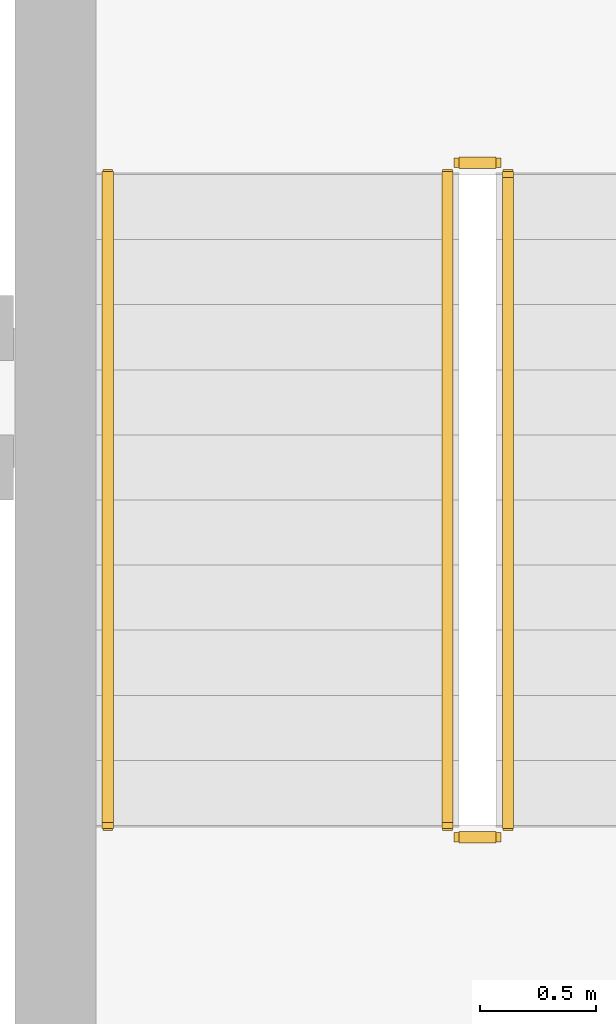
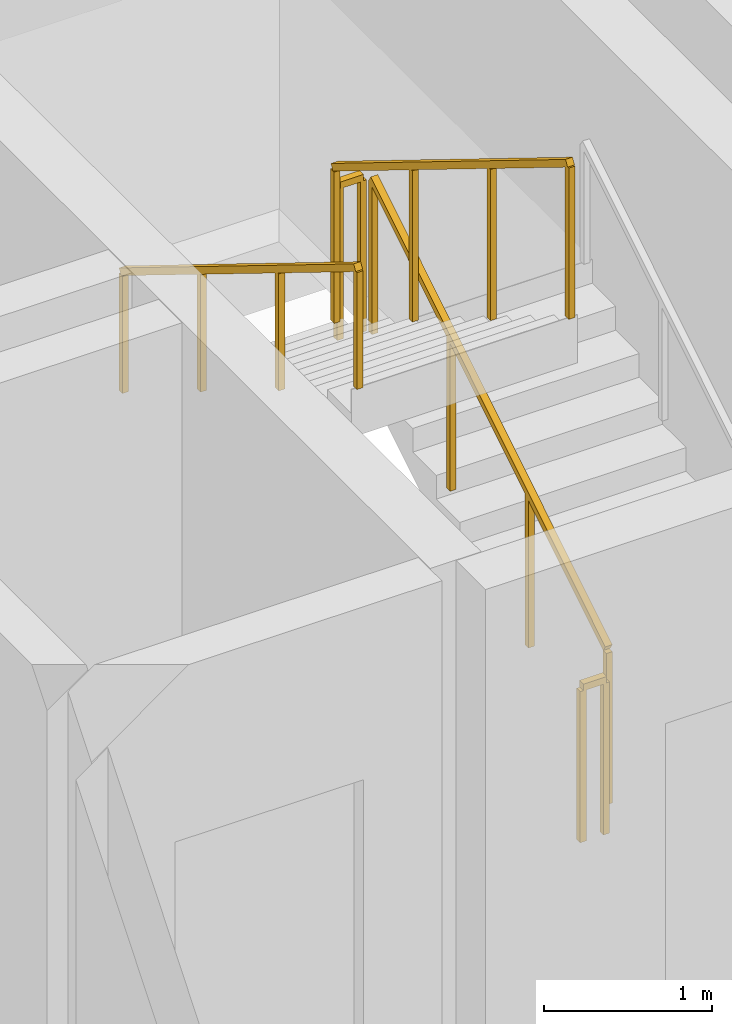
# One storey, part 13 of 14: 5 railings.
"""IFC4 building model written with IfcOpenShell, lengths in metres."""

from ifc_helpers import new_model, si_unit, direction, frame, origin, origin_2d, place, context, subcontext, project, spatial, rectangle, extrude, material, type_object, element, save


model = new_model("IFC4")

# Units and contexts
model_context = context("Model", 3, precision=1e-05, world=origin(), true_north=direction((0.0, 1.0)))
body_context = subcontext(model_context, "Body", "Model", "MODEL_VIEW")
ifc_project = project(units=[si_unit("LENGTHUNIT", "METRE"), si_unit("AREAUNIT", "SQUARE_METRE"), si_unit("VOLUMEUNIT", "CUBIC_METRE"), si_unit("PLANEANGLEUNIT", "RADIAN"), si_unit("MASSUNIT", "GRAM", prefix="KILO")], contexts=[model_context])

# Site, building, storey
site_placement = place(None, origin())
site = spatial("IfcSite", under=ifc_project, at=site_placement, CompositionType="ELEMENT")
building_placement = place(site_placement, origin())
building = spatial("IfcBuilding", under=site, at=building_placement, Name="Kaelvorn Grand Hotel", CompositionType="ELEMENT")
storey_placement = place(building_placement, frame((0.0, 0.0, 169.550048828125)))
storey = spatial("IfcBuildingStorey", under=building, at=storey_placement, Name="L41", CompositionType="ELEMENT", Elevation=169.550048828125)

# Railings
ifc_material = material(Name="Stainless Steel", Category="steel")
railing_type_1 = type_object("IfcRailingType", Name="RL-HANDRAIL-900", PredefinedType="HANDRAIL", material=ifc_material)
railing_1_placement = place(storey_placement, frame((63.3701171875, 44.56005859375, 2.07275390625)))
element("IfcRailing", 1, at=railing_1_placement, inside=storey, type_object=railing_type_1, Name="L41 ST3 stair handrail 2", PredefinedType="HANDRAIL", context=body_context, shape_type="SweptSolid", body=[
    extrude(rectangle(XDim=0.048095703125, YDim=0.048095703125, at=origin_2d()), frame((0.0, 0.0, 0.8759765625), z_axis=(0.0, -0.851089632645, 0.525020415988), x_axis=(1.0, 0.0, 0.0)), (0.0, 0.0, 1.0), 3.2900390625),
    extrude(rectangle(XDim=0.0419921875, YDim=0.0419921875, at=origin_2d()), origin(), (0.0, 0.0, 1.0), 0.851806640625),
    extrude(rectangle(XDim=0.0419921875, YDim=0.0419921875, at=origin_2d()), frame((0.0, -0.933349609375, 0.57568359375)), (0.0, 0.0, 1.0), 0.851806640625),
    extrude(rectangle(XDim=0.0419921875, YDim=0.0419921875, at=origin_2d()), frame((0.0, -1.86669921875, 1.151611328125)), (0.0, 0.0, 1.0), 0.851806640625),
    extrude(rectangle(XDim=0.0419921875, YDim=0.0419921875, at=origin_2d()), frame((0.0, -2.800048828125, 1.727294921875)), (0.0, 0.0, 1.0), 0.851806640625),
])
railing_type_2 = type_object("IfcRailingType", Name="RL-STAIR-GUARD-1150", PredefinedType="BALUSTRADE", material=ifc_material)
railing_2_placement = place(storey_placement, frame((65.090087890625, 41.760009765625, 0.172607421875)))
element("IfcRailing", 2, at=railing_2_placement, inside=storey, type_object=railing_type_2, Name="L41 ST3 stair guard 1", PredefinedType="BALUSTRADE", context=body_context, shape_type="SweptSolid", body=[
    extrude(rectangle(XDim=0.048095703125, YDim=0.048095703125, at=origin_2d()), frame((0.0, 0.0, 1.1259765625), z_axis=(0.0, 0.851089632645, 0.525020415988), x_axis=(-1.0, 0.0, 0.0)), (0.0, 0.0, 1.0), 3.2900390625),
    extrude(rectangle(XDim=0.0419921875, YDim=0.0419921875, at=origin_2d()), origin(), (0.0, 0.0, 1.0), 1.101806640625),
    extrude(rectangle(XDim=0.0419921875, YDim=0.0419921875, at=origin_2d()), frame((0.0, 0.933349609375, 0.57568359375)), (0.0, 0.0, 1.0), 1.101806640625),
    extrude(rectangle(XDim=0.0419921875, YDim=0.0419921875, at=origin_2d()), frame((0.0, 1.86669921875, 1.151611328125)), (0.0, 0.0, 1.0), 1.101806640625),
    extrude(rectangle(XDim=0.0419921875, YDim=0.0419921875, at=origin_2d()), frame((0.0, 2.800048828125, 1.727294921875)), (0.0, 0.0, 1.0), 1.101806640625),
])
railing_3_placement = place(storey_placement, frame((65.0400390625, 44.610107421875, 1.89990234375)))
element("IfcRailing", 3, at=railing_3_placement, inside=storey, type_object=railing_type_2, Name="L41 ST3 stair guard 2", PredefinedType="BALUSTRADE", context=body_context, shape_type="SweptSolid", body=[
    extrude(rectangle(XDim=0.048095703125, YDim=0.048095703125, at=origin_2d()), frame((0.0, 0.0, 1.1259765625), z_axis=(-1.0, 0.0, 0.0), x_axis=(0.0, -1.0, 0.0)), (0.0, 0.0, 1.0), 0.16015625),
    extrude(rectangle(XDim=0.0419921875, YDim=0.0419921875, at=origin_2d()), origin(), (0.0, 0.0, 1.0), 1.101806640625),
    extrude(rectangle(XDim=0.0419921875, YDim=0.0419921875, at=origin_2d()), frame((-0.16015625, 0.0, 0.0)), (0.0, 0.0, 1.0), 1.101806640625),
])
railing_4_placement = place(storey_placement, frame((64.830078125, 44.56005859375, 2.07275390625)))
element("IfcRailing", 4, at=railing_4_placement, inside=storey, type_object=railing_type_2, Name="L41 ST3 stair guard 3", PredefinedType="BALUSTRADE", context=body_context, shape_type="SweptSolid", body=[
    extrude(rectangle(XDim=0.048095703125, YDim=0.048095703125, at=origin_2d()), frame((0.0, 0.0, 1.1259765625), z_axis=(0.0, -0.851089632645, 0.525020415988), x_axis=(1.0, 0.0, 0.0)), (0.0, 0.0, 1.0), 3.2900390625),
    extrude(rectangle(XDim=0.0419921875, YDim=0.0419921875, at=origin_2d()), origin(), (0.0, 0.0, 1.0), 1.101806640625),
    extrude(rectangle(XDim=0.0419921875, YDim=0.0419921875, at=origin_2d()), frame((0.0, -0.933349609375, 0.57568359375)), (0.0, 0.0, 1.0), 1.101806640625),
    extrude(rectangle(XDim=0.0419921875, YDim=0.0419921875, at=origin_2d()), frame((0.0, -1.86669921875, 1.151611328125)), (0.0, 0.0, 1.0), 1.101806640625),
    extrude(rectangle(XDim=0.0419921875, YDim=0.0419921875, at=origin_2d()), frame((0.0, -2.800048828125, 1.727294921875)), (0.0, 0.0, 1.0), 1.101806640625),
])
railing_5_placement = place(storey_placement, frame((65.0400390625, 41.7099609375, 0.0)))
element("IfcRailing", 5, at=railing_5_placement, inside=storey, type_object=railing_type_2, Name="L41 ST3 stair guard 4", PredefinedType="BALUSTRADE", context=body_context, shape_type="SweptSolid", body=[
    extrude(rectangle(XDim=0.048095703125, YDim=0.048095703125, at=origin_2d()), frame((0.0, 0.0, 1.1259765625), z_axis=(-1.0, 0.0, 0.0), x_axis=(0.0, -1.0, 0.0)), (0.0, 0.0, 1.0), 0.16015625),
    extrude(rectangle(XDim=0.0419921875, YDim=0.0419921875, at=origin_2d()), origin(), (0.0, 0.0, 1.0), 1.101806640625),
    extrude(rectangle(XDim=0.0419921875, YDim=0.0419921875, at=origin_2d()), frame((-0.16015625, 0.0, 0.0)), (0.0, 0.0, 1.0), 1.101806640625),
])

save(model, "model.ifc")
